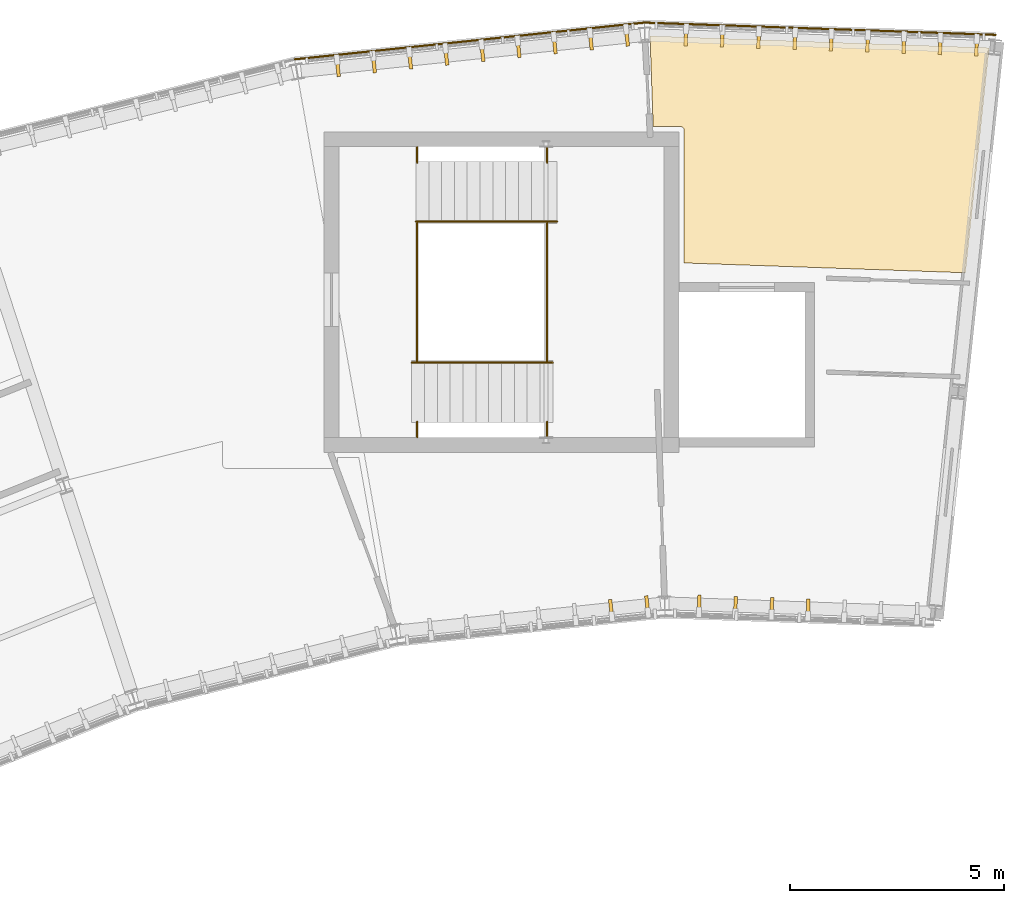
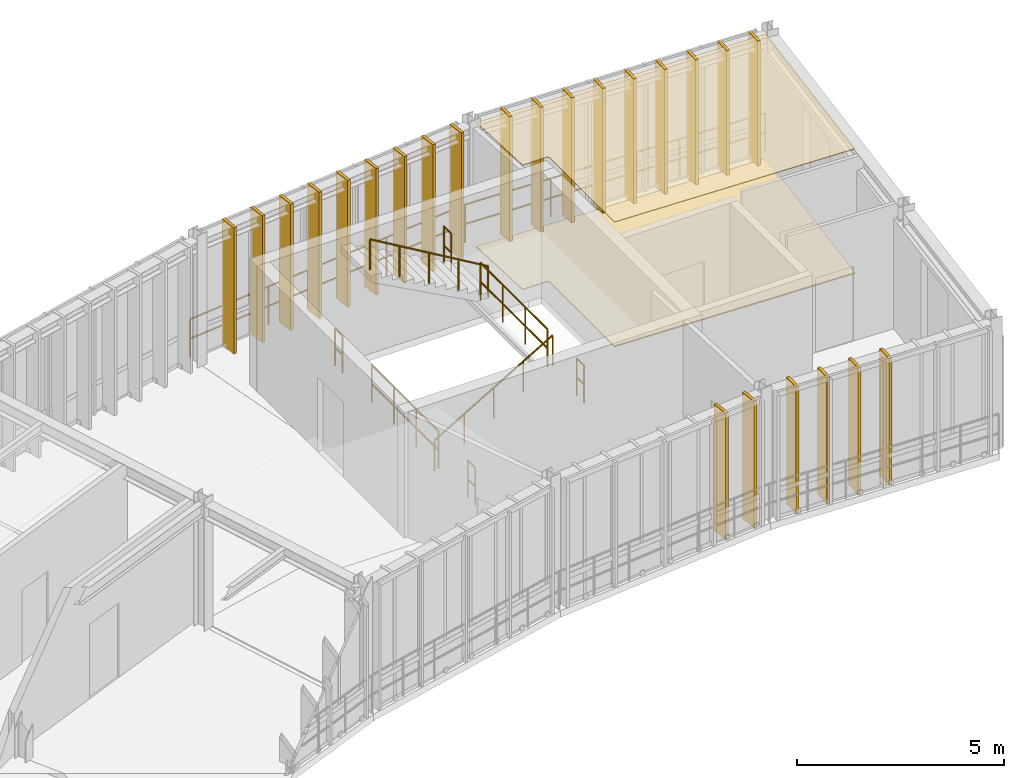
# One storey, part 41 of 41: 26 coverings, 10 railings.
"""IFC4 building model written with IfcOpenShell, lengths in metres."""

from ifc_helpers import new_model, si_unit, direction, frame, origin, origin_2d, place, context, subcontext, project, spatial, polyline, rectangle, circle, outline, extrude, material, layer, layer_set, type_object, element, save


model = new_model("IFC4")

# Units and contexts
model_context = context("Model", 3, precision=1e-05, world=origin(), true_north=direction((0.0, 1.0)))
body_context = subcontext(model_context, "Body", "Model", "MODEL_VIEW")
ifc_project = project(units=[si_unit("LENGTHUNIT", "METRE"), si_unit("AREAUNIT", "SQUARE_METRE"), si_unit("VOLUMEUNIT", "CUBIC_METRE"), si_unit("PLANEANGLEUNIT", "RADIAN"), si_unit("MASSUNIT", "GRAM", prefix="KILO"), si_unit("THERMODYNAMICTEMPERATUREUNIT", "KELVIN"), si_unit("POWERUNIT", "WATT")], contexts=[model_context])

# Site, building, storey
site_placement = place(None, origin())
site = spatial("IfcSite", under=ifc_project, at=site_placement, CompositionType="ELEMENT")
building_placement = place(site_placement, origin())
building = spatial("IfcBuilding", under=site, at=building_placement, Name="Solvatero Civic Police Headquarters", CompositionType="ELEMENT")
storey_placement = place(building_placement, frame((0.0, 0.0, 17.699951171875)))
storey = spatial("IfcBuildingStorey", under=building, at=storey_placement, Name="L04", CompositionType="ELEMENT", Elevation=17.699951171875)

# Coverings
ifc_material_1 = material(Name="Mineral-Fibre Acoustic Tile", Category="gypsum")
ifc_layer_1 = layer(ifc_material_1, 0.02490234375)
ifc_layer_set_1 = layer_set([ifc_layer_1], Name="Mineral-Fibre Acoustic Tile")
covering_type_1 = type_object("IfcCoveringType", Name="COV-CEIL-AC", PredefinedType="CEILING", material=ifc_layer_set_1)
covering_1_placement = place(storey_placement, frame((0.0, 0.0, 3.675048828125)))
element("IfcCovering", 1, at=covering_1_placement, inside=storey, type_object=covering_type_1, Name="Acoustic Ceiling Regional Intelligence Fusion Desk Bay 1", PredefinedType="CEILING", context=body_context, shape_type="SweptSolid", body=[
    extrude(outline(polyline([(92.07421875, 84.58984375), (100.00830078125, 84.312744140625), (99.455322265625, 79.052490234375), (92.8701171875, 79.2822265625), (92.8701171875, 82.389892578125), (92.86962890625, 82.397705078125), (92.868408203125, 82.405517578125), (92.86669921875, 82.4130859375), (92.864013671875, 82.420654296875), (92.860595703125, 82.427734375), (92.8564453125, 82.434326171875), (92.851806640625, 82.44091796875), (92.8466796875, 82.446533203125), (92.8408203125, 82.451904296875), (92.83447265625, 82.45654296875), (92.82763671875, 82.460693359375), (92.820556640625, 82.4638671875), (92.813232421875, 82.466552734375), (92.8056640625, 82.468505859375), (92.7978515625, 82.469482421875), (92.7900390625, 82.469970703125), (92.148193359375, 82.469970703125), (92.07421875, 84.58984375)])), origin(), (0.0, 0.0, 1.0), 0.02490234375),
])
ifc_material_2 = material(Name="Anodized Bronze Aluminium", Category="aluminium")
ifc_layer_2 = layer(ifc_material_2, 0.080078125)
ifc_layer_set_2 = layer_set([ifc_layer_2], Name="Anodized Bronze Aluminium")
covering_type_2 = type_object("IfcCoveringType", Name="COV-FIN-480", PredefinedType="CLADDING", material=ifc_layer_set_2)
for number, where, z_axis, x_axis, name in (
    (2, (99.71142578125, 84.36279296875, -0.02001953125), (0.0, 0.0, 1.0), (-0.999390217756, 0.034916939358, 0.0), "Vertical Brise-Soleil Fin 0778"),
    (3, (98.862060546875, 84.392333984375, -0.02001953125), (0.0, 0.0, 1.0), (-0.999390217756, 0.034916939358, 0.0), "Vertical Brise-Soleil Fin 0779"),
    (4, (98.012451171875, 84.422119140625, -0.02001953125), (0.0, 0.0, 1.0), (-0.999390217756, 0.034916939358, 0.0), "Vertical Brise-Soleil Fin 0780"),
    (5, (97.1630859375, 84.45166015625, -0.02001953125), (0.0, 0.0, 1.0), (-0.999390217756, 0.034916939358, 0.0), "Vertical Brise-Soleil Fin 0781"),
    (6, (96.313720703125, 84.4814453125, -0.02001953125), (0.0, 0.0, 1.0), (-0.999390217756, 0.034916939358, 0.0), "Vertical Brise-Soleil Fin 0782"),
    (7, (95.464111328125, 84.510986328125, -0.02001953125), (0.0, 0.0, 1.0), (-0.999390217756, 0.034916939358, 0.0), "Vertical Brise-Soleil Fin 0783"),
    (8, (94.614501953125, 84.540771484375, -0.02001953125), (0.0, 0.0, 1.0), (-0.999390217756, 0.034916939358, 0.0), "Vertical Brise-Soleil Fin 0784"),
    (9, (93.76513671875, 84.5703125, -0.02001953125), (0.0, 0.0, 1.0), (-0.999390217756, 0.034916939358, 0.0), "Vertical Brise-Soleil Fin 0785"),
    (10, (92.91552734375, 84.60009765625, -0.02001953125), (0.0, 0.0, 1.0), (-0.999390217756, 0.034916939358, 0.0), "Vertical Brise-Soleil Fin 0786"),
    (11, (95.771484375, 71.185791015625, -0.02001953125), (0.0, 0.0, 1.0), (-0.999390827019, 0.034899496703, 0.0), "Vertical Brise-Soleil Fin 0790"),
    (12, (94.922119140625, 71.21533203125, -0.02001953125), (0.0, 0.0, 1.0), (-0.999390827019, 0.034899496703, 0.0), "Vertical Brise-Soleil Fin 0791"),
    (13, (94.072509765625, 71.2451171875, -0.02001953125), (0.0, 0.0, 1.0), (-0.999390827019, 0.034899496703, 0.0), "Vertical Brise-Soleil Fin 0792"),
    (14, (93.22314453125, 71.27490234375, -0.02001953125), (0.0, 0.0, 1.0), (-0.999390827019, 0.034899496703, 0.0), "Vertical Brise-Soleil Fin 0793"),
    (15, (91.533203125, 84.589599609375, -0.02001953125), (0.0, 0.0, 1.0), (-0.994523719583, -0.10451110557, 0.0), "Vertical Brise-Soleil Fin 0794"),
    (16, (90.68798828125, 84.500732421875, -0.02001953125), (0.0, 0.0, 1.0), (-0.994523719583, -0.10451110557, 0.0), "Vertical Brise-Soleil Fin 0795"),
    (17, (89.8427734375, 84.412109375, -0.02001953125), (0.0, 0.0, 1.0), (-0.994523719583, -0.10451110557, 0.0), "Vertical Brise-Soleil Fin 0796"),
    (18, (88.997314453125, 84.322998046875, -0.02001953125), (0.0, 0.0, 1.0), (-0.994523719583, -0.10451110557, 0.0), "Vertical Brise-Soleil Fin 0797"),
    (19, (88.152099609375, 84.234375, -0.02001953125), (0.0, 0.0, 1.0), (-0.994523719583, -0.10451110557, 0.0), "Vertical Brise-Soleil Fin 0798"),
    (20, (87.306640625, 84.1455078125, -0.02001953125), (0.0, 0.0, 1.0), (-0.994523719583, -0.10451110557, 0.0), "Vertical Brise-Soleil Fin 0799"),
    (21, (86.461181640625, 84.056640625, -0.02001953125), (0.0, 0.0, 1.0), (-0.994523719583, -0.10451110557, 0.0), "Vertical Brise-Soleil Fin 0800"),
    (22, (85.615966796875, 83.9677734375, -0.02001953125), (0.0, 0.0, 1.0), (-0.994523719583, -0.10451110557, 0.0), "Vertical Brise-Soleil Fin 0801"),
    (23, (84.7705078125, 83.87890625, -0.02001953125), (0.0, 0.0, 1.0), (-0.994523719583, -0.10451110557, 0.0), "Vertical Brise-Soleil Fin 0802"),
    (24, (92.01171875, 71.260009765625, -0.02001953125), (0.0, 0.0, 1.0), (-0.994521895368, -0.104528463268, 0.0), "Vertical Brise-Soleil Fin 0803"),
    (25, (91.166259765625, 71.17138671875, -0.02001953125), (0.0, 0.0, 1.0), (-0.994521895368, -0.104528463268, 0.0), "Vertical Brise-Soleil Fin 0804"),
):
    element("IfcCovering", number, at=place(storey_placement, frame(where, z_axis=z_axis, x_axis=x_axis)), inside=storey, type_object=covering_type_2, Name=name, PredefinedType="CLADDING", context=body_context, shape_type="SweptSolid", body=[
        extrude(rectangle(XDim=0.080078125, YDim=0.47998046875, at=origin_2d()), origin(), (0.0, 0.0, 1.0), 3.739990234375),
    ])
ifc_material_3 = material(Name="Venetian Terrazzo Stone", Category="masonry")
ifc_layer_3 = layer(ifc_material_3, 0.034912109375)
ifc_layer_set_3 = layer_set([ifc_layer_3], Name="Venetian Terrazzo Stone")
covering_type_3 = type_object("IfcCoveringType", Name="COV-FLR-TER", PredefinedType="FLOORING", material=ifc_layer_set_3)
covering_2_placement = place(storey_placement, origin())
element("IfcCovering", 26, at=covering_2_placement, inside=storey, type_object=covering_type_3, Name="Flooring Regional Intelligence Fusion Desk Bay 1", PredefinedType="FLOORING", context=body_context, shape_type="SweptSolid", body=[
    extrude(outline(polyline([(92.07421875, 84.58984375), (100.00830078125, 84.312744140625), (99.455322265625, 79.052490234375), (92.8701171875, 79.2822265625), (92.8701171875, 82.389892578125), (92.86962890625, 82.397705078125), (92.868408203125, 82.405517578125), (92.86669921875, 82.4130859375), (92.864013671875, 82.420654296875), (92.860595703125, 82.427734375), (92.8564453125, 82.434326171875), (92.851806640625, 82.44091796875), (92.8466796875, 82.446533203125), (92.8408203125, 82.451904296875), (92.83447265625, 82.45654296875), (92.82763671875, 82.460693359375), (92.820556640625, 82.4638671875), (92.813232421875, 82.466552734375), (92.8056640625, 82.468505859375), (92.7978515625, 82.469482421875), (92.7900390625, 82.469970703125), (92.148193359375, 82.469970703125), (92.07421875, 84.58984375)])), origin(), (0.0, 0.0, 1.0), 0.03515625),
])

# Railings
ifc_material_4 = material(Name="Anodized Bronze and Laminated Glass", Category="glass")
railing_type_1 = type_object("IfcRailingType", Name="RL-BAL-115", PredefinedType="BALUSTRADE", material=ifc_material_4)
railing_1_placement = place(storey_placement, frame((100.160888671875, 84.6171875, 0.0)))
element("IfcRailing", 27, at=railing_1_placement, inside=storey, type_object=railing_type_1, Name="Glazed Facade Sill Balustrade RL-L04-ARCOUT-B01", PredefinedType="BALUSTRADE", context=body_context, shape_type="SweptSolid", body=[
    extrude(circle(Radius=0.02392578125, at=origin_2d()), frame((0.0, 0.0, 1.1259765625), z_axis=(-0.999391275439, 0.034886653257, 0.0), x_axis=(-0.034886653257, -0.999391275439, 0.0)), (0.0, 0.0, 1.0), 8.222900390625),
    extrude(circle(Radius=0.02392578125, at=origin_2d()), frame((0.0, 0.0, 0.55078125), z_axis=(-0.999391275439, 0.034886653257, 0.0), x_axis=(-0.034886653257, -0.999391275439, 0.0)), (0.0, 0.0, 1.0), 8.222900390625),
    extrude(circle(Radius=0.02099609375, at=origin_2d()), origin(), (0.0, 0.0, 1.0), 1.101806640625),
    extrude(circle(Radius=0.02099609375, at=origin_2d()), frame((-1.174072265625, 0.041015625, 0.0)), (0.0, 0.0, 1.0), 1.101806640625),
    extrude(circle(Radius=0.02099609375, at=origin_2d()), frame((-2.347900390625, 0.08203125, 0.0)), (0.0, 0.0, 1.0), 1.101806640625),
    extrude(circle(Radius=0.02099609375, at=origin_2d()), frame((-3.52197265625, 0.123046875, 0.0)), (0.0, 0.0, 1.0), 1.101806640625),
    extrude(circle(Radius=0.02099609375, at=origin_2d()), frame((-4.69580078125, 0.163818359375, 0.0)), (0.0, 0.0, 1.0), 1.101806640625),
    extrude(circle(Radius=0.02099609375, at=origin_2d()), frame((-5.869873046875, 0.204833984375, 0.0)), (0.0, 0.0, 1.0), 1.101806640625),
    extrude(circle(Radius=0.02099609375, at=origin_2d()), frame((-7.043701171875, 0.245849609375, 0.0)), (0.0, 0.0, 1.0), 1.101806640625),
    extrude(circle(Radius=0.02099609375, at=origin_2d()), frame((-8.2177734375, 0.286865234375, 0.0)), (0.0, 0.0, 1.0), 1.101806640625),
])
railing_2_placement = place(storey_placement, frame((91.943115234375, 84.904052734375, 0.0)))
element("IfcRailing", 28, at=railing_2_placement, inside=storey, type_object=railing_type_1, Name="Glazed Facade Sill Balustrade RL-L04-ARCOUT-B02", PredefinedType="BALUSTRADE", context=body_context, shape_type="SweptSolid", body=[
    extrude(circle(Radius=0.02392578125, at=origin_2d()), frame((0.0, 0.0, 1.1259765625), z_axis=(-0.994523983361, -0.104508595439, 0.0), x_axis=(0.104508595439, -0.994523983361, 0.0)), (0.0, 0.0, 1.0), 8.222900390625),
    extrude(circle(Radius=0.02392578125, at=origin_2d()), frame((0.0, 0.0, 0.55078125), z_axis=(-0.994523983361, -0.104508595439, 0.0), x_axis=(0.104508595439, -0.994523983361, 0.0)), (0.0, 0.0, 1.0), 8.222900390625),
    extrude(circle(Radius=0.02099609375, at=origin_2d()), origin(), (0.0, 0.0, 1.0), 1.101806640625),
    extrude(circle(Radius=0.02099609375, at=origin_2d()), frame((-1.168212890625, -0.122802734375, 0.0)), (0.0, 0.0, 1.0), 1.101806640625),
    extrude(circle(Radius=0.02099609375, at=origin_2d()), frame((-2.336669921875, -0.24560546875, 0.0)), (0.0, 0.0, 1.0), 1.101806640625),
    extrude(circle(Radius=0.02099609375, at=origin_2d()), frame((-3.5048828125, -0.368408203125, 0.0)), (0.0, 0.0, 1.0), 1.101806640625),
    extrude(circle(Radius=0.02099609375, at=origin_2d()), frame((-4.673095703125, -0.490966796875, 0.0)), (0.0, 0.0, 1.0), 1.101806640625),
    extrude(circle(Radius=0.02099609375, at=origin_2d()), frame((-5.84130859375, -0.61376953125, 0.0)), (0.0, 0.0, 1.0), 1.101806640625),
    extrude(circle(Radius=0.02099609375, at=origin_2d()), frame((-7.009765625, -0.736572265625, 0.0)), (0.0, 0.0, 1.0), 1.101806640625),
    extrude(circle(Radius=0.02099609375, at=origin_2d()), frame((-8.177978515625, -0.859375, 0.0)), (0.0, 0.0, 1.0), 1.101806640625),
])
ifc_material_5 = material(Name="Painted Galvanized Steel", Category="steel")
railing_type_2 = type_object("IfcRailingType", Name="RL-GRD-110", PredefinedType="GUARDRAIL", material=ifc_material_5)
railing_3_placement = place(storey_placement, frame((86.6298828125, 76.97998046875, 0.0)))
element("IfcRailing", 29, at=railing_3_placement, inside=storey, type_object=railing_type_2, Name="ST-C3 L04 Floor Well Guardrail", PredefinedType="GUARDRAIL", context=body_context, shape_type="SweptSolid", body=[
    extrude(circle(Radius=0.02392578125, at=origin_2d()), frame((0.0, 0.0, 1.09619140625), z_axis=(0.0, 1.0, 0.0), x_axis=(-1.0, 0.0, 0.0)), (0.0, 0.0, 1.0), 3.239990234375),
    extrude(circle(Radius=0.02392578125, at=origin_2d()), frame((0.0, 0.0, 0.5361328125), z_axis=(0.0, 1.0, 0.0), x_axis=(-1.0, 0.0, 0.0)), (0.0, 0.0, 1.0), 3.239990234375),
    extrude(circle(Radius=0.02099609375, at=origin_2d()), origin(), (0.0, 0.0, 1.0), 1.072021484375),
    extrude(circle(Radius=0.02099609375, at=origin_2d()), frame((0.0, 1.080078125, 0.0)), (0.0, 0.0, 1.0), 1.072021484375),
    extrude(circle(Radius=0.02099609375, at=origin_2d()), frame((0.0, 2.159912109375, 0.0)), (0.0, 0.0, 1.0), 1.072021484375),
    extrude(circle(Radius=0.02099609375, at=origin_2d()), frame((0.0, 3.239990234375, 0.0)), (0.0, 0.0, 1.0), 1.072021484375),
])
for number, where, name in (
    (30, (86.6298828125, 75.2099609375, 0.0), "ST-C3 L04 Floor Well South Slot Guardrail"),
    (31, (86.6298828125, 81.6298828125, 0.0), "ST-C3 L04 Floor Well North Slot Guardrail"),
):
    element("IfcRailing", number, at=place(storey_placement, frame(where)), inside=storey, type_object=railing_type_2, Name=name, PredefinedType="GUARDRAIL", context=body_context, shape_type="SweptSolid", body=[
        extrude(circle(Radius=0.02392578125, at=origin_2d()), frame((0.0, 0.0, 1.09619140625), z_axis=(0.0, 1.0, 0.0), x_axis=(-1.0, 0.0, 0.0)), (0.0, 0.0, 1.0), 0.360107421875),
        extrude(circle(Radius=0.02392578125, at=origin_2d()), frame((0.0, 0.0, 0.5361328125), z_axis=(0.0, 1.0, 0.0), x_axis=(-1.0, 0.0, 0.0)), (0.0, 0.0, 1.0), 0.360107421875),
        extrude(circle(Radius=0.02099609375, at=origin_2d()), origin(), (0.0, 0.0, 1.0), 1.072021484375),
        extrude(circle(Radius=0.02099609375, at=origin_2d()), frame((0.0, 0.360107421875, 0.0)), (0.0, 0.0, 1.0), 1.072021484375),
    ])
railing_4_placement = place(storey_placement, frame((89.669921875, 76.97998046875, 1.949951171875)))
element("IfcRailing", 32, at=railing_4_placement, inside=storey, type_object=railing_type_2, Name="ST-C3 L04 Half-Landing Well Guardrail", PredefinedType="GUARDRAIL", context=body_context, shape_type="SweptSolid", body=[
    extrude(circle(Radius=0.02392578125, at=origin_2d()), frame((0.0, 0.0, 1.09619140625), z_axis=(0.0, 1.0, 0.0), x_axis=(-1.0, 0.0, 0.0)), (0.0, 0.0, 1.0), 3.239990234375),
    extrude(circle(Radius=0.02392578125, at=origin_2d()), frame((0.0, 0.0, 0.5361328125), z_axis=(0.0, 1.0, 0.0), x_axis=(-1.0, 0.0, 0.0)), (0.0, 0.0, 1.0), 3.239990234375),
    extrude(circle(Radius=0.02099609375, at=origin_2d()), origin(), (0.0, 0.0, 1.0), 1.072021484375),
    extrude(circle(Radius=0.02099609375, at=origin_2d()), frame((0.0, 1.080078125, 0.0)), (0.0, 0.0, 1.0), 1.072021484375),
    extrude(circle(Radius=0.02099609375, at=origin_2d()), frame((0.0, 2.159912109375, 0.0)), (0.0, 0.0, 1.0), 1.072021484375),
    extrude(circle(Radius=0.02099609375, at=origin_2d()), frame((0.0, 3.239990234375, 0.0)), (0.0, 0.0, 1.0), 1.072021484375),
])
for number, where, name in (
    (33, (89.669921875, 75.2099609375, 1.949951171875), "ST-C3 L04 Half-Landing South Slot Guardrail"),
    (34, (89.669921875, 81.6298828125, 1.949951171875), "ST-C3 L04 Half-Landing North Slot Guardrail"),
):
    element("IfcRailing", number, at=place(storey_placement, frame(where)), inside=storey, type_object=railing_type_2, Name=name, PredefinedType="GUARDRAIL", context=body_context, shape_type="SweptSolid", body=[
        extrude(circle(Radius=0.02392578125, at=origin_2d()), frame((0.0, 0.0, 1.09619140625), z_axis=(0.0, 1.0, 0.0), x_axis=(-1.0, 0.0, 0.0)), (0.0, 0.0, 1.0), 0.360107421875),
        extrude(circle(Radius=0.02392578125, at=origin_2d()), frame((0.0, 0.0, 0.5361328125), z_axis=(0.0, 1.0, 0.0), x_axis=(-1.0, 0.0, 0.0)), (0.0, 0.0, 1.0), 0.360107421875),
        extrude(circle(Radius=0.02099609375, at=origin_2d()), origin(), (0.0, 0.0, 1.0), 1.072021484375),
        extrude(circle(Radius=0.02099609375, at=origin_2d()), frame((0.0, 0.360107421875, 0.0)), (0.0, 0.0, 1.0), 1.072021484375),
    ])
ifc_material_6 = material(Name="Brushed Stainless Steel", Category="steel")
railing_type_3 = type_object("IfcRailingType", Name="RL-HND-092", PredefinedType="HANDRAIL", material=ifc_material_6)
railing_5_placement = place(storey_placement, frame((86.5, 76.949951171875, 0.0)))
element("IfcRailing", 35, at=railing_5_placement, inside=storey, type_object=railing_type_3, Name="ST-C3 L04 Flight 1 Handrail", PredefinedType="HANDRAIL", context=body_context, shape_type="SweptSolid", body=[
    extrude(circle(Radius=0.02392578125, at=origin_2d()), frame((0.0, 0.0, 0.89599609375), z_axis=(0.860935404107, 0.0, 0.508714291086), x_axis=(0.0, 1.0, 0.0)), (0.0, 0.0, 1.0), 3.8330078125),
    extrude(circle(Radius=0.02099609375, at=origin_2d()), origin(), (0.0, 0.0, 1.0), 0.871826171875),
    extrude(circle(Radius=0.02099609375, at=origin_2d()), frame((0.824951171875, 0.0, 0.487548828125)), (0.0, 0.0, 1.0), 0.871826171875),
    extrude(circle(Radius=0.02099609375, at=origin_2d()), frame((1.64990234375, 0.0, 0.97509765625)), (0.0, 0.0, 1.0), 0.871826171875),
    extrude(circle(Radius=0.02099609375, at=origin_2d()), frame((2.47509765625, 0.0, 1.46240234375)), (0.0, 0.0, 1.0), 0.871826171875),
    extrude(circle(Radius=0.02099609375, at=origin_2d()), frame((3.300048828125, 0.0, 1.949951171875)), (0.0, 0.0, 1.0), 0.871826171875),
])
railing_6_placement = place(storey_placement, frame((89.89990234375, 80.25, 1.949951171875)))
element("IfcRailing", 36, at=railing_6_placement, inside=storey, type_object=railing_type_3, Name="ST-C3 L04 Flight 2 Handrail", PredefinedType="HANDRAIL", context=body_context, shape_type="SweptSolid", body=[
    extrude(circle(Radius=0.02392578125, at=origin_2d()), frame((0.0, 0.0, 0.89599609375), z_axis=(-0.860891021225, 0.0, 0.50878939609), x_axis=(0.0, -1.0, 0.0)), (0.0, 0.0, 1.0), 3.8330078125),
    extrude(circle(Radius=0.02099609375, at=origin_2d()), origin(), (0.0, 0.0, 1.0), 0.871826171875),
    extrude(circle(Radius=0.02099609375, at=origin_2d()), frame((-0.824951171875, 0.0, 0.487548828125)), (0.0, 0.0, 1.0), 0.871826171875),
    extrude(circle(Radius=0.02099609375, at=origin_2d()), frame((-1.64990234375, 0.0, 0.97509765625)), (0.0, 0.0, 1.0), 0.871826171875),
    extrude(circle(Radius=0.02099609375, at=origin_2d()), frame((-2.474853515625, 0.0, 1.462646484375)), (0.0, 0.0, 1.0), 0.871826171875),
    extrude(circle(Radius=0.02099609375, at=origin_2d()), frame((-3.2998046875, 0.0, 1.9501953125)), (0.0, 0.0, 1.0), 0.871826171875),
])

save(model, "model.ifc")
